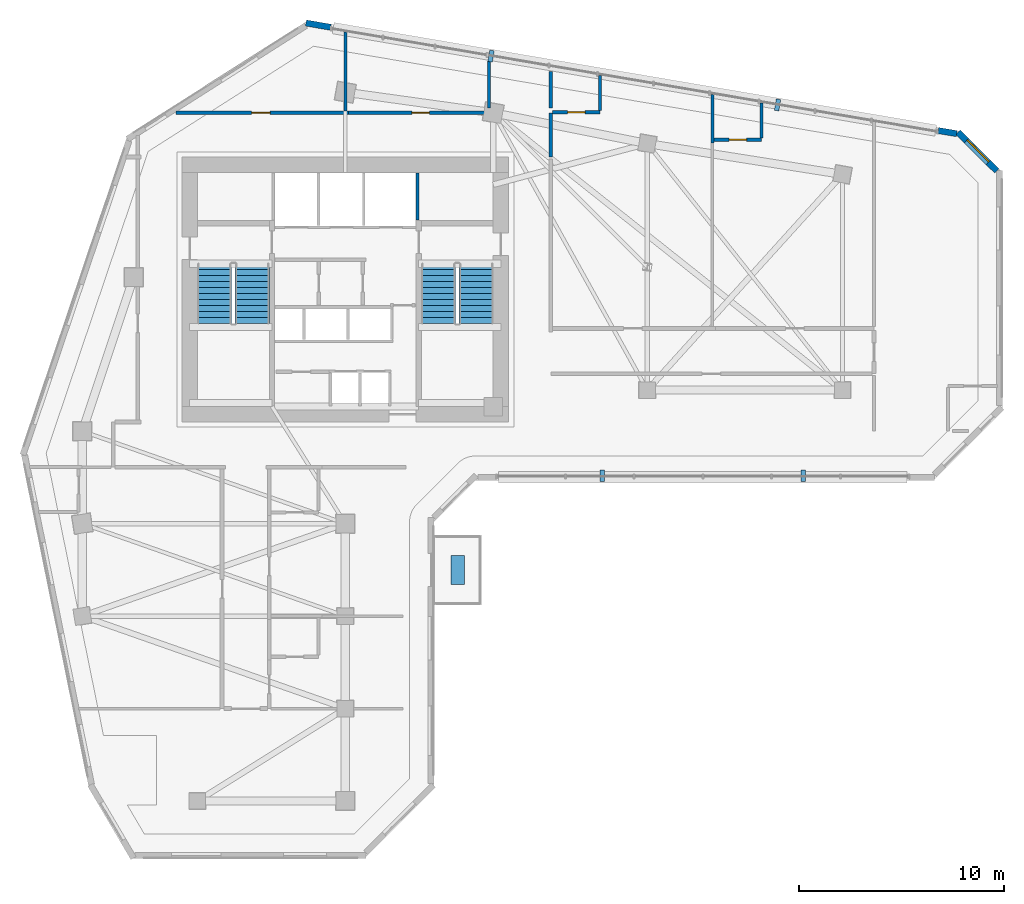
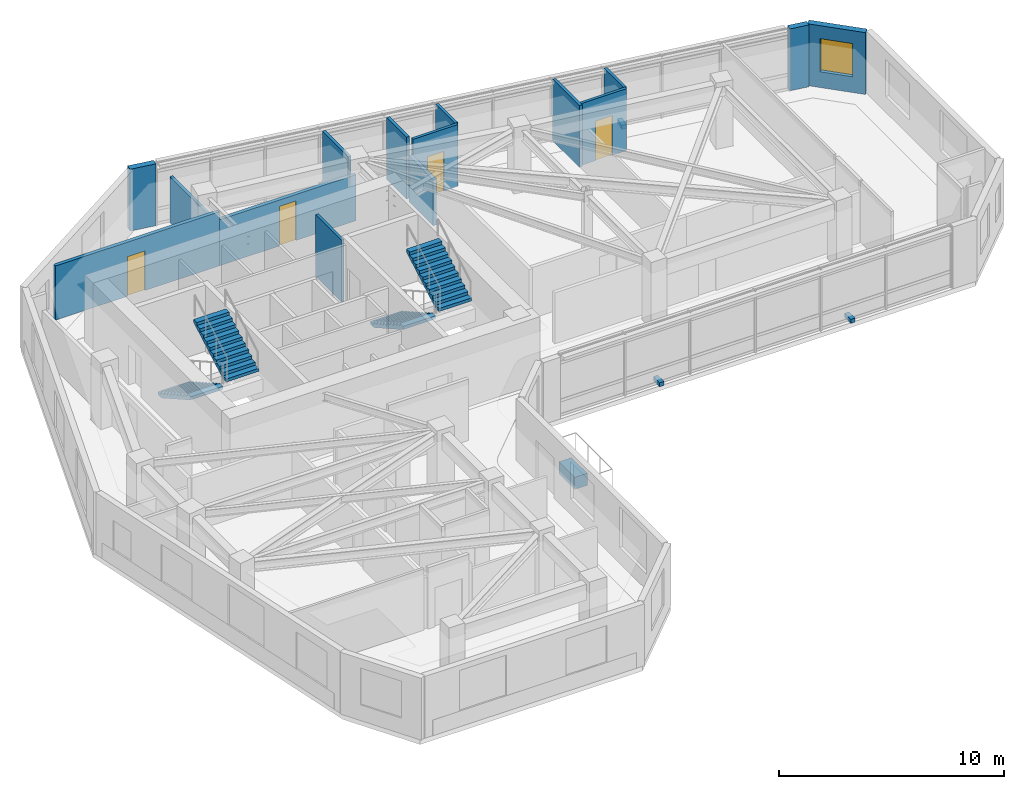
# One storey, part 7 of 10: 15 walls, 5 discrete accessories, 4 doors, 4 stair flights, 1 window, 5 openings, 2 elements without a shape of their own.
"""IFC4 building model written with IfcOpenShell, lengths in metres."""

from ifc_helpers import new_model, si_unit, direction, frame, frame_2d, origin, origin_2d, place, context, subcontext, project, spatial, polyline, rectangle, outline, extrude, source, transform, mapped, material, layer, layer_set, type_object, element, fill, aggregate, save


model = new_model("IFC4")

# Units and contexts
model_context = context("Model", 3, precision=1e-05, world=origin(), true_north=direction((0.0, 1.0)))
body_context = subcontext(model_context, "Body", "Model", "MODEL_VIEW")
ifc_project = project(units=[si_unit("LENGTHUNIT", "METRE"), si_unit("AREAUNIT", "SQUARE_METRE"), si_unit("VOLUMEUNIT", "CUBIC_METRE"), si_unit("PLANEANGLEUNIT", "RADIAN"), si_unit("MASSUNIT", "GRAM", prefix="KILO")], contexts=[model_context])

# Site, building, storey
site_placement = place(None, origin())
site = spatial("IfcSite", under=ifc_project, at=site_placement, CompositionType="ELEMENT")
building_placement = place(site_placement, origin())
building = spatial("IfcBuilding", under=site, at=building_placement, Name="Calvemar Wedge Station Tower", CompositionType="ELEMENT")
storey_placement = place(building_placement, frame((0.0, 0.0, 146.60009765625)))
storey = spatial("IfcBuildingStorey", under=building, at=storey_placement, Name="L36", CompositionType="ELEMENT", Elevation=146.60009765625)

# Wall, opening, door
ifc_material_1 = material(Name="Double-stud fire-rated corridor partition")
ifc_layer_1 = layer(ifc_material_1, 0.179931640625)
ifc_layer_set_1 = layer_set([ifc_layer_1], Name="Double-stud fire-rated corridor partition")
wall_type_1 = type_object("IfcWallType", Name="W-CORR-180", PredefinedType="PARTITIONING", material=ifc_layer_set_1)
wall_1_placement = place(storey_placement, frame((15.552490234375, 48.5, 0.0), z_axis=(0.0, 0.0, 1.0), x_axis=(1.0, 0.0, 0.0)))
wall_1 = element("IfcWall", 1, at=wall_1_placement, inside=storey, type_object=wall_type_1, Name="Storey L36 Interior Partition WL-L36-014", PredefinedType="PARTITIONING", context=body_context, shape_type="SweptSolid", body=[
    extrude(rectangle(XDim=8.407470703125, YDim=0.179931640625, at=frame_2d((4.20361328125, 0.0))), origin(), (0.0, 0.0, 1.0), 2.934814453125),
])
shared_shape_1 = source(origin(), body_context, "Body", "SweptSolid", [
    extrude(rectangle(XDim=0.89990234375, YDim=2.14990234375, at=frame_2d((0.449951171875, 1.074951171875))), frame((0.0, 0.10009765625, 0.0), z_axis=(0.0, -1.0, 0.0), x_axis=(1.0, 0.0, 0.0)), (0.0, 0.0, 1.0), 0.199951171875),
])
opening_1_placement = place(wall_1_placement, frame((3.69287109375, 0.0, 0.0)))
opening_1 = element("IfcOpeningElement", 2, at=opening_1_placement, cuts=wall_1, Name="Opening D-01", PredefinedType="OPENING", context=body_context, shape_type="MappedRepresentation", body=[
    mapped(shared_shape_1, transform((0.0, 0.0, 0.0), scale=1.0)),
])
ifc_material_2 = material(Name="Architectural hardwood acoustic swing door", Category="wood")
door_type_1 = type_object("IfcDoorType", Name="DR-INT-900", OperationType="NOTDEFINED", PredefinedType="DOOR", material=ifc_material_2)
shared_shape_2 = source(origin(), body_context, "Body", "SweptSolid", [
    extrude(rectangle(XDim=0.89990234375, YDim=2.14990234375, at=frame_2d((0.449951171875, 1.074951171875))), frame((0.0, 0.02490234375, 0.0), z_axis=(0.0, -1.0, 0.0), x_axis=(1.0, 0.0, 0.0)), (0.0, 0.0, 1.0), 0.050048828125),
])
door_1_placement = place(opening_1_placement, origin())
door_1 = element("IfcDoor", 3, at=door_1_placement, inside=storey, type_object=door_type_1, Name="L36 Business Centre Door", OperationType="SINGLE_SWING_LEFT", OverallHeight=2.14990234375, OverallWidth=0.89990234375, PredefinedType="DOOR", context=body_context, shape_type="MappedRepresentation", body=[
    mapped(shared_shape_2, transform((0.0, 0.0, 0.0), scale=1.0)),
])
fill(opening_1, door_1)

wall_2_placement = place(storey_placement, frame((23.9619140625, 48.5, 0.0), z_axis=(0.0, 0.0, 1.0), x_axis=(1.0, 0.0, 0.0)))
wall_2 = element("IfcWall", 4, at=wall_2_placement, inside=storey, type_object=wall_type_1, Name="Storey L36 Interior Partition WL-L36-015", PredefinedType="PARTITIONING", context=body_context, shape_type="SweptSolid", body=[
    extrude(rectangle(XDim=6.998046875, YDim=0.179931640625, at=frame_2d((3.4990234375, 0.0))), origin(), (0.0, 0.0, 1.0), 2.491943359375),
])
shared_shape_3 = source(origin(), body_context, "Body", "SweptSolid", [
    extrude(rectangle(XDim=0.85009765625, YDim=2.14990234375, at=frame_2d((0.425048828125, 1.074951171875))), frame((0.0, 0.10009765625, 0.0), z_axis=(0.0, -1.0, 0.0), x_axis=(1.0, 0.0, 0.0)), (0.0, 0.0, 1.0), 0.199951171875),
])
opening_2_placement = place(wall_2_placement, frame((3.073974609375, 0.0, 0.0)))
opening_2 = element("IfcOpeningElement", 5, at=opening_2_placement, cuts=wall_2, Name="Opening D-02", PredefinedType="OPENING", context=body_context, shape_type="MappedRepresentation", body=[
    mapped(shared_shape_3, transform((0.0, 0.0, 0.0), scale=1.0)),
])
ifc_material_3 = material(Name="Moisture-sealed bathroom hardwood swing door", Category="wood")
door_type_2 = type_object("IfcDoorType", Name="DR-WET-850", OperationType="NOTDEFINED", PredefinedType="DOOR", material=ifc_material_3)
shared_shape_4 = source(origin(), body_context, "Body", "SweptSolid", [
    extrude(rectangle(XDim=0.85009765625, YDim=2.14990234375, at=frame_2d((0.425048828125, 1.074951171875))), frame((0.0, 0.02490234375, 0.0), z_axis=(0.0, -1.0, 0.0), x_axis=(1.0, 0.0, 0.0)), (0.0, 0.0, 1.0), 0.050048828125),
])
door_2_placement = place(opening_2_placement, origin())
door_2 = element("IfcDoor", 6, at=door_2_placement, inside=storey, type_object=door_type_2, Name="L36 Accessible WC Door", OperationType="SINGLE_SWING_RIGHT", OverallHeight=2.14990234375, OverallWidth=0.85009765625, PredefinedType="DOOR", context=body_context, shape_type="MappedRepresentation", body=[
    mapped(shared_shape_4, transform((0.0, 0.0, 0.0), scale=1.0)),
])
fill(opening_2, door_2)

# Wall
wall_3_placement = place(storey_placement, frame((33.800048828125, 48.5, 0.0), z_axis=(0.0, 0.0, 1.0), x_axis=(0.0, -1.0, 0.0)))
element("IfcWall", 7, at=wall_3_placement, inside=storey, type_object=wall_type_1, Name="Storey L36 Interior Partition WL-L36-016", PredefinedType="PARTITIONING", context=body_context, shape_type="SweptSolid", body=[
    extrude(rectangle(XDim=2.14990234375, YDim=0.179931640625, at=frame_2d((1.074951171875, 0.0))), origin(), (0.0, 0.0, 1.0), 2.491943359375),
])

# Wall, opening, window
ifc_material_4 = material(Name="Precast concrete C45", Category="concrete")
ifc_layer_2 = layer(ifc_material_4, 0.300048828125)
ifc_layer_set_2 = layer_set([ifc_layer_2], Name="Precast concrete C45")
wall_type_2 = type_object("IfcWallType", Name="W-EXT-GFRC-300", PredefinedType="SOLIDWALL", material=ifc_layer_set_2)
wall_4_placement = place(storey_placement, frame((55.511962890625, 45.66796875, 0.0), z_axis=(0.0, 0.0, 1.0), x_axis=(-0.707152443695, 0.707061115729, 0.0)))
wall_4 = element("IfcWall", 8, at=wall_4_placement, inside=storey, type_object=wall_type_2, Name="Storey L36 Bronze GFRC Exterior Wall 9", PredefinedType="SOLIDWALL", context=body_context, shape_type="SweptSolid", body=[
    extrude(rectangle(XDim=2.67333984375, YDim=0.300048828125, at=frame_2d((1.336669921875, 0.0))), origin(), (0.0, 0.0, 1.0), 3.349853515625),
])
shared_shape_5 = source(origin(), body_context, "Body", "SweptSolid", [
    extrude(rectangle(XDim=1.5, YDim=1.800048828125, at=frame_2d((0.75, 0.89990234375))), frame((0.0, 0.16015625, 0.0), z_axis=(0.0, -1.0, 0.0), x_axis=(1.0, 0.0, 0.0)), (0.0, 0.0, 1.0), 0.320068359375),
])
opening_3_placement = place(wall_4_placement, frame((0.5869140625, 0.0, 0.85009765625)))
opening_3 = element("IfcOpeningElement", 9, at=opening_3_placement, cuts=wall_4, Name="Opening W3", PredefinedType="OPENING", context=body_context, shape_type="MappedRepresentation", body=[
    mapped(shared_shape_5, transform((0.0, 0.0, 0.0), scale=1.0)),
])
ifc_material_5 = material(Name="Low-E laminated insulated glass", Category="glass")
window_type = type_object("IfcWindowType", Name="WIN-EXT-3", PartitioningType="SINGLE_PANEL", PredefinedType="WINDOW", material=ifc_material_5)
shared_shape_6 = source(origin(), body_context, "Body", "SweptSolid", [
    extrude(rectangle(XDim=1.5, YDim=1.800048828125, at=frame_2d((0.75, 0.89990234375))), frame((0.0, -0.014892578125, 0.0), z_axis=(0.0, -1.0, 0.0), x_axis=(1.0, 0.0, 0.0)), (0.0, 0.0, 1.0), 0.06005859375),
])
window_placement = place(opening_3_placement, origin())
window = element("IfcWindow", 10, at=window_placement, inside=storey, type_object=window_type, Name="Storey L36 Recessed Window 9.1", OverallHeight=1.800048828125, OverallWidth=1.5, PartitioningType="SINGLE_PANEL", PredefinedType="WINDOW", context=body_context, shape_type="MappedRepresentation", body=[
    mapped(shared_shape_6, transform((0.0, 0.0, 0.0), scale=1.0)),
])
fill(opening_3, window)

# Walls
wall_5_placement = place(storey_placement, frame((53.56103515625, 47.48046875, 0.0), z_axis=(0.0, 0.0, 1.0), x_axis=(-0.985836300899, 0.167710428506, 0.0)))
element("IfcWall", 11, at=wall_5_placement, inside=storey, type_object=wall_type_2, Name="Storey L36 Bronze GFRC Corner Pier 10A", PredefinedType="SOLIDWALL", context=body_context, shape_type="SweptSolid", body=[
    extrude(rectangle(XDim=0.908447265625, YDim=0.300048828125, at=frame_2d((0.4541015625, 0.0))), origin(), (0.0, 0.0, 1.0), 3.349853515625),
])
wall_6_placement = place(storey_placement, frame((23.093994140625, 52.661865234375, 0.0), z_axis=(0.0, 0.0, 1.0), x_axis=(-0.985845658291, 0.167655414553, 0.0)))
element("IfcWall", 12, at=wall_6_placement, inside=storey, type_object=wall_type_2, Name="Storey L36 Bronze GFRC Corner Pier 10B", PredefinedType="SOLIDWALL", context=body_context, shape_type="SweptSolid", body=[
    extrude(rectangle(XDim=1.2275390625, YDim=0.300048828125, at=frame_2d((0.61376953125, 0.0))), origin(), (0.0, 0.0, 1.0), 3.349853515625),
])
ifc_material_6 = material(Name="Reinforced concrete blockwork lift shaft wall", Category="masonry")
ifc_layer_3 = layer(ifc_material_6, 0.139892578125)
ifc_layer_set_3 = layer_set([ifc_layer_3], Name="Reinforced concrete blockwork lift shaft wall")
wall_type_3 = type_object("IfcWallType", Name="W-LIFT-160", PredefinedType="SOLIDWALL", material=ifc_layer_set_3)
wall_7_placement = place(storey_placement, frame((27.31005859375, 43.280029296875, 0.0), z_axis=(0.0, 0.0, 1.0), x_axis=(0.0, 1.0, 0.0)))
element("IfcWall", 13, at=wall_7_placement, inside=storey, type_object=wall_type_3, Name="Storey L36 Firefighting Lift Shaft Enclosure Wall E", PredefinedType="SOLIDWALL", context=body_context, shape_type="SweptSolid", body=[
    extrude(rectangle(XDim=2.300048828125, YDim=0.139892578125, at=frame_2d((1.14990234375, 0.0))), origin(), (0.0, 0.0, 1.0), 3.349853515625),
])
ifc_material_7 = material(Name="Moisture-resistant acoustic bathroom partition")
ifc_layer_4 = layer(ifc_material_7, 0.14990234375)
ifc_layer_set_4 = layer_set([ifc_layer_4], Name="Moisture-resistant acoustic bathroom partition")
wall_type_4 = type_object("IfcWallType", Name="W-WET-150", PredefinedType="PARTITIONING", material=ifc_layer_set_4)
wall_8_placement = place(storey_placement, frame((23.800048828125, 52.425048828125, 0.0), z_axis=(0.0, 0.0, 1.0), x_axis=(0.0, -1.0, 0.0)))
element("IfcWall", 14, at=wall_8_placement, inside=storey, type_object=wall_type_4, Name="Storey L36 Interior Partition WL-L36-020", PredefinedType="PARTITIONING", context=body_context, shape_type="SweptSolid", body=[
    extrude(rectangle(XDim=3.8310546875, YDim=0.14990234375, at=frame_2d((1.91552734375, 0.0))), origin(), (0.0, 0.0, 1.0), 2.491943359375),
])

# Wall, opening, door
wall_9_placement = place(storey_placement, frame((36.199951171875, 48.5244140625, 0.0), z_axis=(0.0, 0.0, 1.0), x_axis=(-1.0, 0.0, 0.0)))
wall_9 = element("IfcWall", 15, at=wall_9_placement, inside=storey, type_object=wall_type_4, Name="Storey L36 Interior Partition WL-L36-025", PredefinedType="PARTITIONING", context=body_context, shape_type="SweptSolid", body=[
    extrude(rectangle(XDim=2.305908203125, YDim=0.14990234375, at=frame_2d((1.15283203125, 0.0))), origin(), (0.0, 0.0, 1.0), 3.349853515625),
])
shared_shape_7 = source(origin(), body_context, "Body", "SweptSolid", [
    extrude(rectangle(XDim=0.85009765625, YDim=2.14990234375, at=frame_2d((0.425048828125, 1.074951171875))), frame((0.0, 0.0849609375, 0.0), z_axis=(0.0, -1.0, 0.0), x_axis=(1.0, 0.0, 0.0)), (0.0, 0.0, 1.0), 0.169921875),
])
opening_4_placement = place(wall_9_placement, frame((0.72802734375, 0.0, 0.0)))
opening_4 = element("IfcOpeningElement", 16, at=opening_4_placement, cuts=wall_9, Name="Opening D-02", PredefinedType="OPENING", context=body_context, shape_type="MappedRepresentation", body=[
    mapped(shared_shape_7, transform((0.0, 0.0, 0.0), scale=1.0)),
])
door_3_placement = place(opening_4_placement, origin())
door_3 = element("IfcDoor", 17, at=door_3_placement, inside=storey, type_object=door_type_2, Name="L36 En-Suite Bathroom Door", OperationType="SINGLE_SWING_LEFT", OverallHeight=2.14990234375, OverallWidth=0.85009765625, PredefinedType="DOOR", context=body_context, shape_type="MappedRepresentation", body=[
    mapped(shared_shape_4, transform((0.0, 0.0, 0.0), scale=1.0)),
])
fill(opening_4, door_3)

# Walls
wall_10_placement = place(storey_placement, frame((36.199951171875, 50.31640625, 0.0), z_axis=(0.0, 0.0, 1.0), x_axis=(0.0, -1.0, 0.0)))
element("IfcWall", 18, at=wall_10_placement, inside=storey, type_object=wall_type_4, Name="Storey L36 Interior Partition WL-L36-026", PredefinedType="PARTITIONING", context=body_context, shape_type="SweptSolid", body=[
    extrude(rectangle(XDim=1.712890625, YDim=0.14990234375, at=frame_2d((0.8564453125, 0.0))), origin(), (0.0, 0.0, 1.0), 3.349853515625),
])
wall_11_placement = place(storey_placement, frame((41.6669921875, 49.38671875, 0.0), z_axis=(0.0, 0.0, 1.0), x_axis=(0.0, -1.0, 0.0)))
element("IfcWall", 19, at=wall_11_placement, inside=storey, type_object=wall_type_4, Name="Storey L36 Interior Partition WL-L36-027", PredefinedType="PARTITIONING", context=body_context, shape_type="SweptSolid", body=[
    extrude(rectangle(XDim=2.360107421875, YDim=0.14990234375, at=frame_2d((1.18017578125, 0.0))), origin(), (0.0, 0.0, 1.0), 3.349853515625),
])

# Wall, opening, door
wall_12_placement = place(storey_placement, frame((44.06689453125, 47.1865234375, 0.0), z_axis=(0.0, 0.0, 1.0), x_axis=(-1.0, 0.0, 0.0)))
wall_12 = element("IfcWall", 20, at=wall_12_placement, inside=storey, type_object=wall_type_4, Name="Storey L36 Interior Partition WL-L36-029", PredefinedType="PARTITIONING", context=body_context, shape_type="SweptSolid", body=[
    extrude(rectangle(XDim=2.32080078125, YDim=0.14990234375, at=frame_2d((1.160400390625, 0.0))), origin(), (0.0, 0.0, 1.0), 3.349853515625),
])
opening_5_placement = place(wall_12_placement, frame((0.735595703125, 0.0, 0.0)))
opening_5 = element("IfcOpeningElement", 21, at=opening_5_placement, cuts=wall_12, Name="Opening D-02", PredefinedType="OPENING", context=body_context, shape_type="MappedRepresentation", body=[
    mapped(shared_shape_7, transform((0.0, 0.0, 0.0), scale=1.0)),
])
door_4_placement = place(opening_5_placement, origin())
door_4 = element("IfcDoor", 22, at=door_4_placement, inside=storey, type_object=door_type_2, Name="L36 En-Suite Bathroom Door", OperationType="SINGLE_SWING_LEFT", OverallHeight=2.14990234375, OverallWidth=0.85009765625, PredefinedType="DOOR", context=body_context, shape_type="MappedRepresentation", body=[
    mapped(shared_shape_4, transform((0.0, 0.0, 0.0), scale=1.0)),
])
fill(opening_5, door_4)

# Walls
wall_13_placement = place(storey_placement, frame((44.06689453125, 48.978515625, 0.0), z_axis=(0.0, 0.0, 1.0), x_axis=(0.0, -1.0, 0.0)))
element("IfcWall", 23, at=wall_13_placement, inside=storey, type_object=wall_type_4, Name="Storey L36 Interior Partition WL-L36-030", PredefinedType="PARTITIONING", context=body_context, shape_type="SweptSolid", body=[
    extrude(rectangle(XDim=1.712890625, YDim=0.14990234375, at=frame_2d((0.8564453125, 0.0))), origin(), (0.0, 0.0, 1.0), 3.349853515625),
])
wall_14_placement = place(storey_placement, frame((30.800048828125, 51.011474609375, 0.0), z_axis=(0.0, 0.0, 1.0), x_axis=(0.0, -1.0, 0.0)))
element("IfcWall", 24, at=wall_14_placement, inside=storey, type_object=wall_type_4, Name="Storey L36 Bathroom Enclosure Wall WL-L36-051", PredefinedType="PARTITIONING", context=body_context, shape_type="SweptSolid", body=[
    extrude(rectangle(XDim=2.29150390625, YDim=0.14990234375, at=frame_2d((1.145751953125, 0.0))), origin(), (0.0, 0.0, 1.0), 3.349853515625),
])
wall_15_placement = place(storey_placement, frame((33.800048828125, 48.72314453125, 0.0), z_axis=(0.0, 0.0, 1.0), x_axis=(0.0, 1.0, 0.0)))
element("IfcWall", 25, at=wall_15_placement, inside=storey, type_object=wall_type_4, Name="Storey L36 Bathroom Enclosure Wall WL-L36-052", PredefinedType="PARTITIONING", context=body_context, shape_type="SweptSolid", body=[
    extrude(rectangle(XDim=1.778076171875, YDim=0.14990234375, at=frame_2d((0.88916015625, 0.0))), origin(), (0.0, 0.0, 1.0), 3.349853515625),
])

# Stair, stair flights
ifc_material_8 = material(Name="Concrete C45", Category="concrete")
stair_type = type_object("IfcStairType", Name="ST-TYPE-3600", PredefinedType="HALF_TURN_STAIR", material=ifc_material_8)
stair_1_placement = place(storey_placement, origin())
stair_1 = element("IfcStair", 26, at=stair_1_placement, inside=storey, type_object=stair_type, Name="L36 Pressurized Core Exit Stair ST-C1", PredefinedType="HALF_TURN_STAIR")
stair_flight_type = type_object("IfcStairFlightType", Name="STF-TYPE-3600", PredefinedType="STRAIGHT", material=ifc_material_8)
stair_flight_1_placement = place(storey_placement, frame((17.429931640625, 41.14990234375, 0.0), z_axis=(0.0, 0.0, 1.0), x_axis=(0.0, -1.0, 0.0)))
stair_flight_1 = element("IfcStairFlight", 27, at=stair_flight_1_placement, type_object=stair_flight_type, Name="ST-C1 flight 1", NumberOfRisers=11, NumberOfTreads=10, PredefinedType="STRAIGHT", RiserHeight=0.163636364, TreadLength=0.29, context=body_context, shape_type="SweptSolid", body=[
    extrude(outline(polyline([(0.0, 0.0), (0.0, 0.16357421875), (0.2900390625, 0.16357421875), (0.2900390625, 0.327392578125), (0.580078125, 0.327392578125), (0.580078125, 0.490966796875), (0.8701171875, 0.490966796875), (0.8701171875, 0.654541015625), (1.159912109375, 0.654541015625), (1.159912109375, 0.818115234375), (1.449951171875, 0.818115234375), (1.449951171875, 0.98193359375), (1.739990234375, 0.98193359375), (1.739990234375, 1.1455078125), (2.030029296875, 1.1455078125), (2.030029296875, 1.30908203125), (2.320068359375, 1.30908203125), (2.320068359375, 1.47265625), (2.610107421875, 1.47265625), (2.610107421875, 1.636474609375), (2.89990234375, 1.636474609375), (2.89990234375, 1.800048828125), (2.89990234375, 1.46435546875), (0.304931640625, 0.0), (0.0, 0.0)])), frame((0.0, 0.830078125, 0.0), z_axis=(0.0, -1.0, 0.0), x_axis=(1.0, 0.0, 0.0)), (0.0, 0.0, 1.0), 1.659912109375),
])
stair_flight_2_placement = place(storey_placement, frame((19.27001953125, 38.25, 1.7998046875), z_axis=(0.0, 0.0, 1.0), x_axis=(0.0, 1.0, 0.0)))
stair_flight_2 = element("IfcStairFlight", 28, at=stair_flight_2_placement, type_object=stair_flight_type, Name="ST-C1 flight 2", NumberOfRisers=11, NumberOfTreads=10, PredefinedType="STRAIGHT", RiserHeight=0.163636364, TreadLength=0.29, context=body_context, shape_type="SweptSolid", body=[
    extrude(outline(polyline([(0.0, 0.0), (0.0, 0.16357421875), (0.2900390625, 0.16357421875), (0.2900390625, 0.327392578125), (0.580078125, 0.327392578125), (0.580078125, 0.490966796875), (0.8701171875, 0.490966796875), (0.8701171875, 0.654541015625), (1.159912109375, 0.654541015625), (1.159912109375, 0.818115234375), (1.449951171875, 0.818115234375), (1.449951171875, 0.98193359375), (1.739990234375, 0.98193359375), (1.739990234375, 1.1455078125), (2.030029296875, 1.1455078125), (2.030029296875, 1.30908203125), (2.320068359375, 1.30908203125), (2.320068359375, 1.47265625), (2.610107421875, 1.47265625), (2.610107421875, 1.636474609375), (2.89990234375, 1.636474609375), (2.89990234375, 1.800048828125), (2.89990234375, 1.46435546875), (0.304931640625, 0.0), (0.0, 0.0)])), frame((0.0, 0.830078125, 0.0), z_axis=(0.0, -1.0, 0.0), x_axis=(1.0, 0.0, 0.0)), (0.0, 0.0, 1.0), 1.659912109375),
])
aggregate(stair_1, [stair_flight_1, stair_flight_2])

stair_2_placement = place(storey_placement, origin())
stair_2 = element("IfcStair", 29, at=stair_2_placement, inside=storey, type_object=stair_type, Name="L36 Pressurized Core Exit Stair ST-C2", PredefinedType="HALF_TURN_STAIR")
stair_flight_3_placement = place(storey_placement, frame((28.330078125, 41.14990234375, 0.0), z_axis=(0.0, 0.0, 1.0), x_axis=(0.0, -1.0, 0.0)))
stair_flight_3 = element("IfcStairFlight", 30, at=stair_flight_3_placement, type_object=stair_flight_type, Name="ST-C2 flight 1", NumberOfRisers=11, NumberOfTreads=10, PredefinedType="STRAIGHT", RiserHeight=0.163636364, TreadLength=0.29, context=body_context, shape_type="SweptSolid", body=[
    extrude(outline(polyline([(0.0, 0.0), (0.0, 0.16357421875), (0.2900390625, 0.16357421875), (0.2900390625, 0.327392578125), (0.580078125, 0.327392578125), (0.580078125, 0.490966796875), (0.8701171875, 0.490966796875), (0.8701171875, 0.654541015625), (1.159912109375, 0.654541015625), (1.159912109375, 0.818115234375), (1.449951171875, 0.818115234375), (1.449951171875, 0.98193359375), (1.739990234375, 0.98193359375), (1.739990234375, 1.1455078125), (2.030029296875, 1.1455078125), (2.030029296875, 1.30908203125), (2.320068359375, 1.30908203125), (2.320068359375, 1.47265625), (2.610107421875, 1.47265625), (2.610107421875, 1.636474609375), (2.89990234375, 1.636474609375), (2.89990234375, 1.800048828125), (2.89990234375, 1.46435546875), (0.304931640625, 0.0), (0.0, 0.0)])), frame((0.0, 0.830078125, 0.0), z_axis=(0.0, -1.0, 0.0), x_axis=(1.0, 0.0, 0.0)), (0.0, 0.0, 1.0), 1.659912109375),
])
stair_flight_4_placement = place(storey_placement, frame((30.169921875, 38.25, 1.7998046875), z_axis=(0.0, 0.0, 1.0), x_axis=(0.0, 1.0, 0.0)))
stair_flight_4 = element("IfcStairFlight", 31, at=stair_flight_4_placement, type_object=stair_flight_type, Name="ST-C2 flight 2", NumberOfRisers=11, NumberOfTreads=10, PredefinedType="STRAIGHT", RiserHeight=0.163636364, TreadLength=0.29, context=body_context, shape_type="SweptSolid", body=[
    extrude(outline(polyline([(0.0, 0.0), (0.0, 0.16357421875), (0.2900390625, 0.16357421875), (0.2900390625, 0.327392578125), (0.580078125, 0.327392578125), (0.580078125, 0.490966796875), (0.8701171875, 0.490966796875), (0.8701171875, 0.654541015625), (1.159912109375, 0.654541015625), (1.159912109375, 0.818115234375), (1.449951171875, 0.818115234375), (1.449951171875, 0.98193359375), (1.739990234375, 0.98193359375), (1.739990234375, 1.1455078125), (2.030029296875, 1.1455078125), (2.030029296875, 1.30908203125), (2.320068359375, 1.30908203125), (2.320068359375, 1.47265625), (2.610107421875, 1.47265625), (2.610107421875, 1.636474609375), (2.89990234375, 1.636474609375), (2.89990234375, 1.800048828125), (2.89990234375, 1.46435546875), (0.304931640625, 0.0), (0.0, 0.0)])), frame((0.0, 0.830078125, 0.0), z_axis=(0.0, -1.0, 0.0), x_axis=(1.0, 0.0, 0.0)), (0.0, 0.0, 1.0), 1.659912109375),
])
aggregate(stair_2, [stair_flight_3, stair_flight_4])

# Discrete accessories
ifc_material_9 = material(Name="Stainless steel AISI 316L", Category="steel")
discrete_accessory_type_1 = type_object("IfcDiscreteAccessoryType", Name="BRK-316L", PredefinedType="BRACKET", material=ifc_material_9)
shared_shape_8 = source(origin(), body_context, "Body", "SweptSolid", [
    extrude(rectangle(XDim=0.219970703125, YDim=0.56005859375, at=origin_2d()), origin(), (0.0, 0.0, 1.0), 0.219970703125),
])
for number, where, z_axis, x_axis, name in (
    (32, (36.302001953125, 30.822021484375, 0.0), (0.0, 0.0, 1.0), (1.0, 0.0, 0.0), "Storey L36 Recessed Facade Stainless Bracket 6.1"),
    (33, (46.101806640625, 30.822021484375, 0.0), (0.0, 0.0, 1.0), (1.0, 0.0, 0.0), "Storey L36 Recessed Facade Stainless Bracket 6.2"),
    (34, (44.839599609375, 48.882568359375, 0.0), (0.0, 0.0, 1.0), (-0.985850128464, 0.167629126969, 0.0), "Storey L36 Recessed Facade Stainless Bracket 10.1"),
    (35, (30.893310546875, 51.25439453125, 0.0), (0.0, 0.0, 1.0), (-0.985850128464, 0.167629126969, 0.0), "Storey L36 Recessed Facade Stainless Bracket 10.2"),
):
    element("IfcDiscreteAccessory", number, at=place(storey_placement, frame(where, z_axis=z_axis, x_axis=x_axis)), inside=storey, type_object=discrete_accessory_type_1, Name=name, PredefinedType="BRACKET", context=body_context, shape_type="MappedRepresentation", body=[
        mapped(shared_shape_8, transform((0.0, 0.0, 0.0), scale=1.0)),
    ])
discrete_accessory_type_2 = type_object("IfcDiscreteAccessoryType", Name="ACC-PLANTER", PredefinedType="USERDEFINED", material=ifc_material_4)
shared_shape_9 = source(origin(), body_context, "Body", "SweptSolid", [
    extrude(rectangle(XDim=0.64990234375, YDim=1.39990234375, at=origin_2d()), origin(), (0.0, 0.0, 1.0), 0.64990234375),
])
discrete_accessory_placement = place(storey_placement, frame((29.278076171875, 26.25, 0.0), z_axis=(0.0, 0.0, 1.0), x_axis=(1.0, 0.0, 0.0)))
element("IfcDiscreteAccessory", 36, at=discrete_accessory_placement, inside=storey, type_object=discrete_accessory_type_2, Name="Storey L36 Planted Terrace GFRC Planter", ObjectType="PLANTER", PredefinedType="USERDEFINED", context=body_context, shape_type="MappedRepresentation", body=[
    mapped(shared_shape_9, transform((0.0, 0.0, 0.0), scale=1.0)),
])

save(model, "model.ifc")
